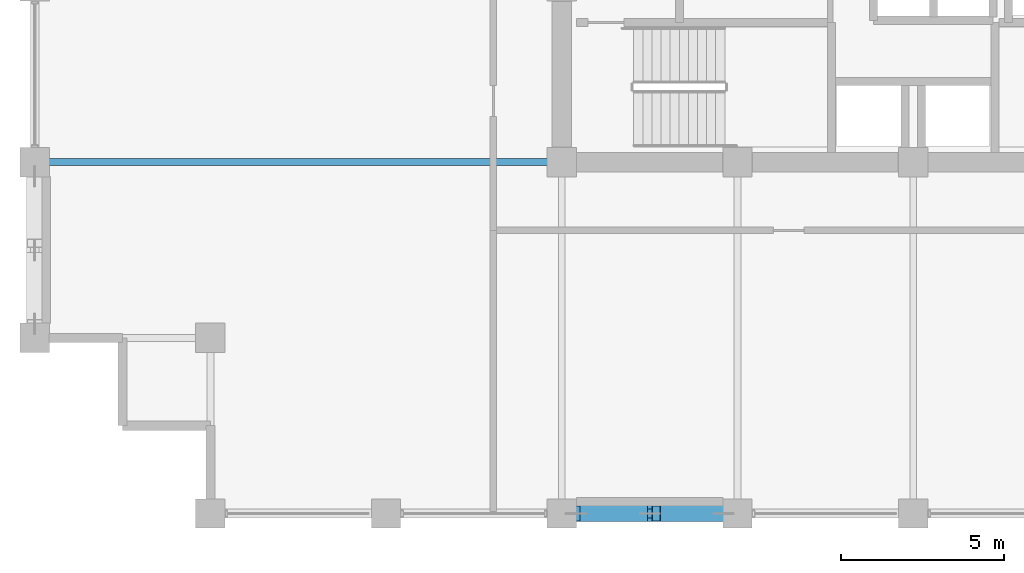
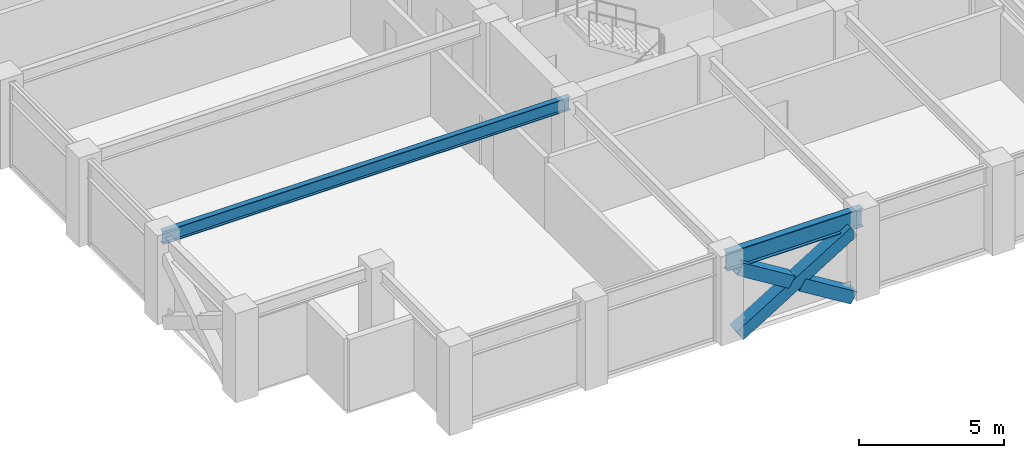
# One storey, part 5 of 32: 3 members, 2 beams.
"""IFC4 building model written with IfcOpenShell, lengths in metres."""

from ifc_helpers import new_model, si_unit, direction, frame, origin, origin_2d, place, context, subcontext, project, spatial, hollow_rectangle, i_section, extrude, material, material_profile, profile_set, type_object, element, save


model = new_model("IFC4")

# Units and contexts
model_context = context("Model", 3, precision=1e-05, world=origin(), true_north=direction((0.0, 1.0)))
body_context = subcontext(model_context, "Body", "Model", "MODEL_VIEW")
ifc_project = project(units=[si_unit("LENGTHUNIT", "METRE"), si_unit("AREAUNIT", "SQUARE_METRE"), si_unit("VOLUMEUNIT", "CUBIC_METRE"), si_unit("PLANEANGLEUNIT", "RADIAN"), si_unit("MASSUNIT", "GRAM", prefix="KILO")], contexts=[model_context])

# Site, building, storey
site_placement = place(None, origin())
site = spatial("IfcSite", under=ifc_project, at=site_placement, CompositionType="ELEMENT")
building_placement = place(site_placement, origin())
building = spatial("IfcBuilding", under=site, at=building_placement, Name="Surkhivell Harbour Commons", CompositionType="ELEMENT")
storey_placement = place(building_placement, frame((0.0, 0.0, 197.25)))
storey = spatial("IfcBuildingStorey", under=building, at=storey_placement, Name="L51", CompositionType="ELEMENT", Elevation=197.25)

# Beams
ifc_material_1 = material(Name="Steel S355", Category="steel")
ifc_material_profile_1 = material_profile(ifc_material_1, i_section(OverallWidth=0.2119140625, OverallDepth=0.5439453125, WebThickness=0.0126953125, FlangeThickness=0.021240234375, at=origin_2d()), Name="UB533x210x122")
ifc_profile_set_1 = profile_set([ifc_material_profile_1], Name="Steel S355")
beam_type_1 = type_object("IfcBeamType", Name="BM-GRD-533A", PredefinedType="BEAM", material=ifc_profile_set_1)
beam_1_placement = place(storey_placement, frame((-27.0, -10.800048828125, 3.298095703125), z_axis=(1.0, 0.0, 0.0), x_axis=(0.0, 1.0, 0.0)))
element("IfcBeam", 1, at=beam_1_placement, inside=storey, type_object=beam_type_1, Name="L51 Floor Girder (-27.0,-10.8)", PredefinedType="BEAM", context=body_context, shape_type="SweptSolid", body=[
    extrude(i_section(OverallWidth=0.2119140625, OverallDepth=0.5439453125, WebThickness=0.0126953125, FlangeThickness=0.021240234375, at=origin_2d()), origin(), (0.0, 0.0, 1.0), 16.199951171875),
])
ifc_material_profile_2 = material_profile(ifc_material_1, i_section(OverallWidth=0.26806640625, OverallDepth=0.77001953125, WebThickness=0.015625, FlangeThickness=0.025390625, at=origin_2d()), Name="UB762x267x197")
ifc_profile_set_2 = profile_set([ifc_material_profile_2], Name="Steel S355")
beam_type_2 = type_object("IfcBeamType", Name="BM-SPN-762", PredefinedType="SPANDREL", material=ifc_profile_set_2)
beam_2_placement = place(storey_placement, frame((-10.800048828125, -21.60009765625, 3.18505859375), z_axis=(1.0, 0.0, 0.0), x_axis=(0.0, 1.0, 0.0)))
element("IfcBeam", 2, at=beam_2_placement, inside=storey, type_object=beam_type_2, Name="L51 Tube Spandrel (-10.8,-21.6)", PredefinedType="SPANDREL", context=body_context, shape_type="SweptSolid", body=[
    extrude(i_section(OverallWidth=0.26806640625, OverallDepth=0.77001953125, WebThickness=0.015625, FlangeThickness=0.025390625, at=origin_2d()), origin(), (0.0, 0.0, 1.0), 5.400146484375),
])

# Members
ifc_material_2 = material(Name="Steel S460", Category="steel")
ifc_material_profile_3 = material_profile(ifc_material_2, hollow_rectangle(XDim=0.5, YDim=0.5, WallThickness=0.02490234375, at=origin_2d()), Name="SHS500x500x25")
ifc_profile_set_3 = profile_set([ifc_material_profile_3], Name="Steel S460")
member_type = type_object("IfcMemberType", Name="MEM-BRC-SHS500", PredefinedType="BRACE", material=ifc_profile_set_3)
member_placement = place(storey_placement, frame((-10.364990234375, -21.60009765625, 0.008056640625), z_axis=(0.850971032488, 0.0, 0.525212625387), x_axis=(0.0, 1.0, 0.0)))
element("IfcMember", 3, at=member_placement, inside=storey, type_object=member_type, Name="L51 Perimeter Mega-Brace MB- 07", PredefinedType="BRACE", context=body_context, shape_type="SweptSolid", body=[
    extrude(hollow_rectangle(XDim=0.5, YDim=0.5, WallThickness=0.02490234375, at=origin_2d()), origin(), (0.0, 0.0, 1.0), 5.323486328125),
])
for number, where, z_axis, x_axis, name in (
    (4, (-5.8349609375, -21.60009765625, 0.008056640625), (-0.8510034189, 0.0, 0.525160147974), (0.0, -1.0, 0.0), "L51 Perimeter Mega-Brace MB- 08"),
    (5, (-8.30419921875, -21.60009765625, 1.531982421875), (-0.850958361341, 0.0, 0.525233155146), (0.0, -1.0, 0.0), "L51 Perimeter Mega-Brace MB- 09"),
):
    element("IfcMember", number, at=place(storey_placement, frame(where, z_axis=z_axis, x_axis=x_axis)), inside=storey, type_object=member_type, Name=name, PredefinedType="BRACE", context=body_context, shape_type="SweptSolid", body=[
        extrude(hollow_rectangle(XDim=0.5, YDim=0.5, WallThickness=0.02490234375, at=origin_2d()), origin(), (0.0, 0.0, 1.0), 2.421630859375),
    ])

save(model, "model.ifc")
